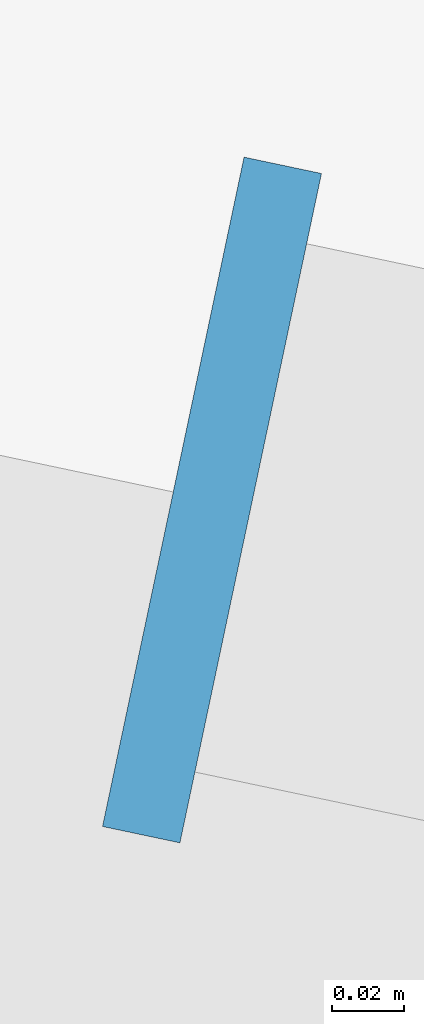
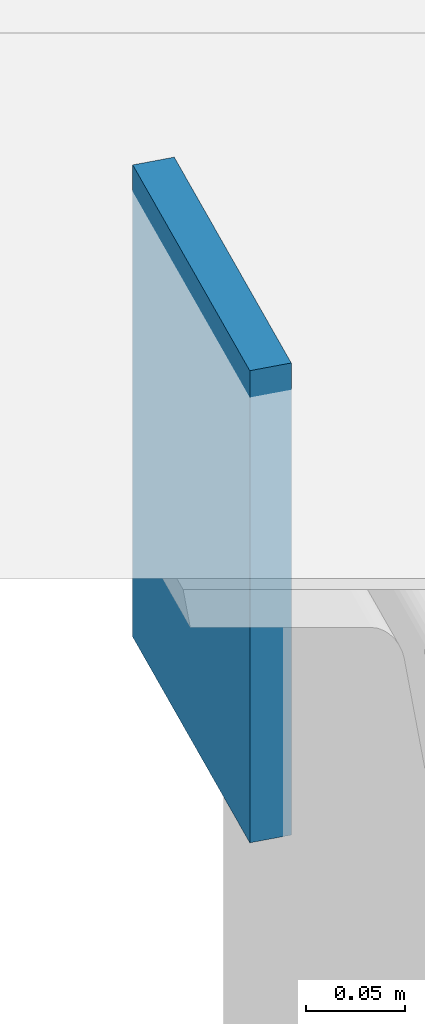
# One storey, part 42 of 90: 1 plate.
"""IFC4 building model written with IfcOpenShell, lengths in metres."""

from ifc_helpers import new_model, si_unit, direction, frame, origin, origin_2d, place, context, subcontext, project, spatial, rectangle, extrude, material, layer, layer_set, type_object, element, save


model = new_model("IFC4")

# Units and contexts
model_context = context("Model", 3, precision=1e-05, world=origin(), true_north=direction((0.0, 1.0)))
body_context = subcontext(model_context, "Body", "Model", "MODEL_VIEW")
ifc_project = project(units=[si_unit("LENGTHUNIT", "METRE"), si_unit("AREAUNIT", "SQUARE_METRE"), si_unit("VOLUMEUNIT", "CUBIC_METRE"), si_unit("PLANEANGLEUNIT", "RADIAN"), si_unit("MASSUNIT", "GRAM", prefix="KILO")], contexts=[model_context])

# Site, building, storey
site_placement = place(None, origin())
site = spatial("IfcSite", under=ifc_project, at=site_placement, CompositionType="ELEMENT")
building_placement = place(site_placement, origin())
building = spatial("IfcBuilding", under=site, at=building_placement, Name="Wrenclough Park School", CompositionType="ELEMENT")
storey_placement = place(building_placement, frame((0.0, 0.0, 8.39990234375)))
storey = spatial("IfcBuildingStorey", under=building, at=storey_placement, Name="L02", CompositionType="ELEMENT", Elevation=8.39990234375)

# Plate
ifc_material = material(Name="Structural steel S355", Category="steel")
ifc_layer = layer(ifc_material, 0.2900390625)
ifc_layer_set = layer_set([ifc_layer], Name="Structural steel S355")
plate_type = type_object("IfcPlateType", Name="STR-PL-EP250", PredefinedType="SHEET", material=ifc_layer_set)
plate_placement = place(storey_placement, frame((102.36328125, 45.3466796875, -0.5), z_axis=(0.0, 0.0, 1.0), x_axis=(0.978364788978, -0.206887263232, 0.0)))
element("IfcPlate", 1, at=plate_placement, inside=storey, type_object=plate_type, Name="W12 eave fascia L1 start sealing end-cap plate", PredefinedType="SHEET", context=body_context, shape_type="SweptSolid", body=[
    extrude(rectangle(XDim=0.02197265625, YDim=0.18994140625, at=origin_2d()), origin(), (0.0, 0.0, 1.0), 0.2900390625),
])

save(model, "model.ifc")
